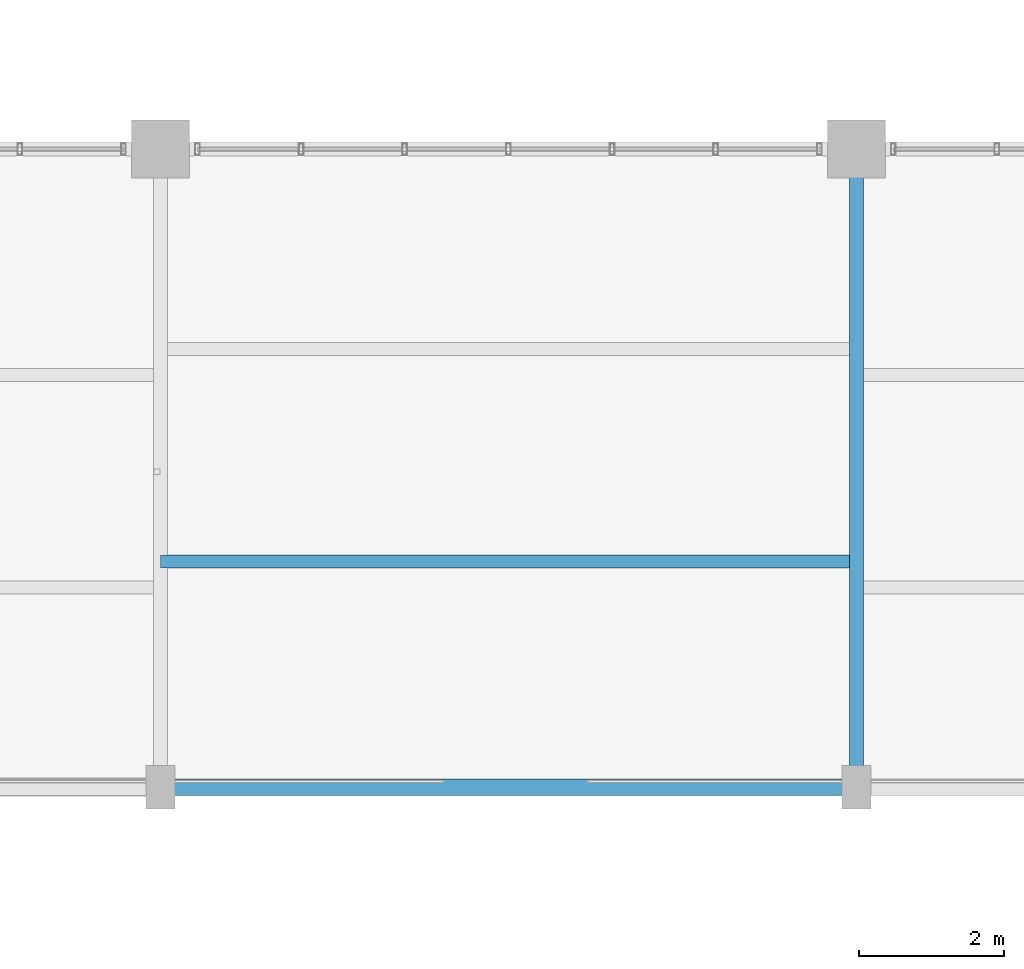
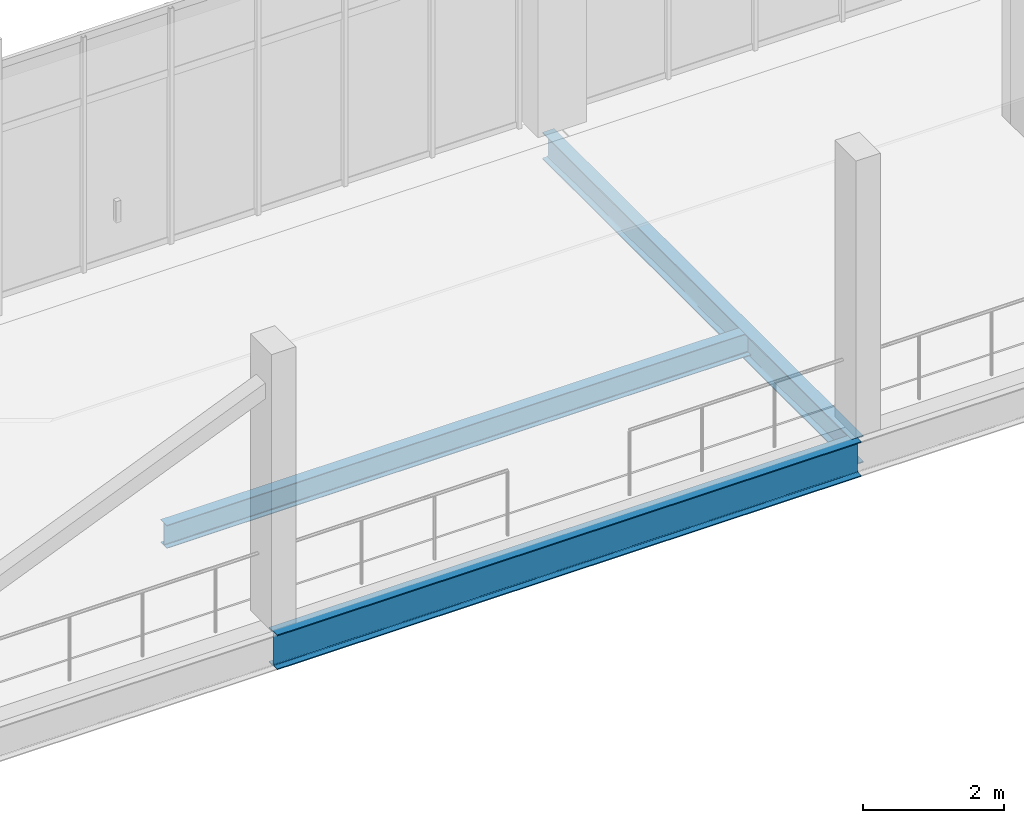
# One storey, part 62 of 157: 3 beams.
"""IFC4 building model written with IfcOpenShell, lengths in metres."""

from ifc_helpers import new_model, si_unit, direction, frame, origin, origin_2d, place, context, subcontext, project, spatial, i_section, extrude, material, material_profile, profile_set, type_object, element, save


model = new_model("IFC4")

# Units and contexts
model_context = context("Model", 3, precision=1e-05, world=origin(), true_north=direction((0.0, 1.0)))
body_context = subcontext(model_context, "Body", "Model", "MODEL_VIEW")
ifc_project = project(units=[si_unit("LENGTHUNIT", "METRE"), si_unit("AREAUNIT", "SQUARE_METRE"), si_unit("VOLUMEUNIT", "CUBIC_METRE"), si_unit("PLANEANGLEUNIT", "RADIAN"), si_unit("MASSUNIT", "GRAM", prefix="KILO")], contexts=[model_context])

# Site, building, storey
site_placement = place(None, origin())
site = spatial("IfcSite", under=ifc_project, at=site_placement, CompositionType="ELEMENT")
building_placement = place(site_placement, origin())
building = spatial("IfcBuilding", under=site, at=building_placement, Name="Chalmorin Arch Market", CompositionType="ELEMENT")
storey_placement = place(building_placement, frame((0.0, 0.0, 4.800048828125)))
storey = spatial("IfcBuildingStorey", under=building, at=storey_placement, Name="L01", CompositionType="ELEMENT", Elevation=4.800048828125)

# Beams
ifc_material = material(Name="Steel A992 Grade 50", Category="steel")
ifc_material_profile_1 = material_profile(ifc_material, i_section(OverallWidth=0.193115234375, OverallDepth=0.466064453125, WebThickness=0.011474609375, FlangeThickness=0.01904296875, FilletRadius=0.02001953125, at=origin_2d()), Name="W18X65")
ifc_profile_set_1 = profile_set([ifc_material_profile_1], Name="Steel A992 Grade 50")
beam_type_1 = type_object("IfcBeamType", Name="FloorSteelBeam-W18X65", PredefinedType="BEAM", material=ifc_profile_set_1)
beam_1_placement = place(storey_placement, frame((105.60009765625, 50.0, -0.485107421875), z_axis=(0.0, 1.0, 0.0), x_axis=(-1.0, 0.0, 0.0)))
element("IfcBeam", 1, at=beam_1_placement, inside=storey, type_object=beam_type_1, Name="BM-W18A-0657", PredefinedType="BEAM", context=body_context, shape_type="SweptSolid", body=[
    extrude(i_section(OverallWidth=0.193115234375, OverallDepth=0.466064453125, WebThickness=0.011474609375, FlangeThickness=0.01904296875, FilletRadius=0.02001953125, at=origin_2d()), origin(), (0.0, 0.0, 1.0), 8.800048828125),
])
ifc_material_profile_2 = material_profile(ifc_material, i_section(OverallWidth=0.22802734375, OverallDepth=0.60791015625, WebThickness=0.01123046875, FlangeThickness=0.017333984375, FilletRadius=0.02392578125, at=origin_2d()), Name="W24X76")
ifc_profile_set_2 = profile_set([ifc_material_profile_2], Name="Steel A992 Grade 50")
beam_type_2 = type_object("IfcBeamType", Name="PrimarySteelGirder-W24X76", PredefinedType="BEAM", material=ifc_profile_set_2)
beam_2_placement = place(storey_placement, frame((96.0, 50.0, -0.55615234375), z_axis=(1.0, 0.0, 0.0), x_axis=(0.0, 1.0, 0.0)))
element("IfcBeam", 2, at=beam_2_placement, inside=storey, type_object=beam_type_2, Name="BG-W24B-0655", PredefinedType="BEAM", context=body_context, shape_type="SweptSolid", body=[
    extrude(i_section(OverallWidth=0.22802734375, OverallDepth=0.60791015625, WebThickness=0.01123046875, FlangeThickness=0.017333984375, FilletRadius=0.02392578125, at=origin_2d()), origin(), (0.0, 0.0, 1.0), 9.60009765625),
])
ifc_material_profile_3 = material_profile(ifc_material, i_section(OverallWidth=0.177978515625, OverallDepth=0.403076171875, WebThickness=0.007568359375, FlangeThickness=0.010986328125, FilletRadius=0.01806640625, at=origin_2d()), Name="W16X36")
ifc_profile_set_3 = profile_set([ifc_material_profile_3], Name="Steel A992 Grade 50")
beam_type_3 = type_object("IfcBeamType", Name="SecondaryFloorJoist-W16X36", PredefinedType="JOIST", material=ifc_profile_set_3)
beam_3_placement = place(storey_placement, frame((96.0, 53.11328125, -0.45361328125), z_axis=(1.0, 0.0, 0.0), x_axis=(0.0, 1.0, 0.0)))
element("IfcBeam", 3, at=beam_3_placement, inside=storey, type_object=beam_type_3, Name="BJ-W16B-0672", PredefinedType="JOIST", context=body_context, shape_type="SweptSolid", body=[
    extrude(i_section(OverallWidth=0.177978515625, OverallDepth=0.403076171875, WebThickness=0.007568359375, FlangeThickness=0.010986328125, FilletRadius=0.01806640625, at=origin_2d()), origin(), (0.0, 0.0, 1.0), 9.60009765625),
])

save(model, "model.ifc")
